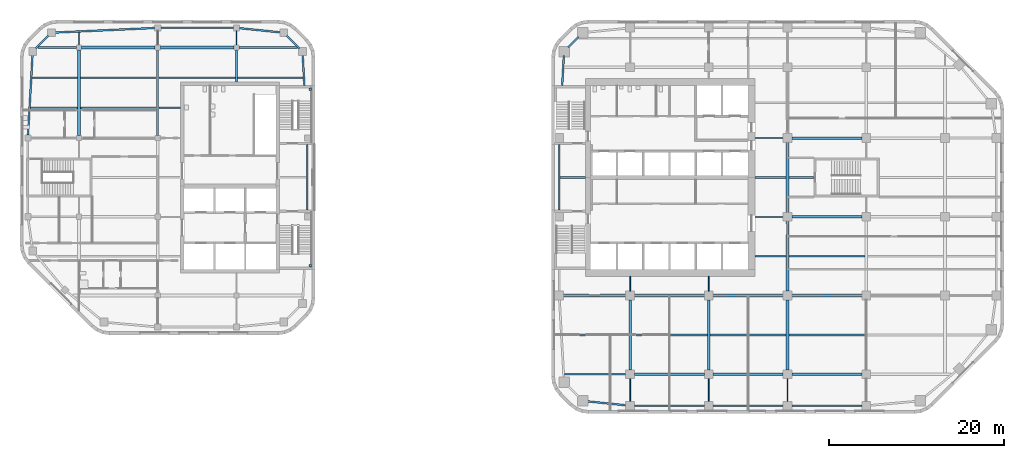
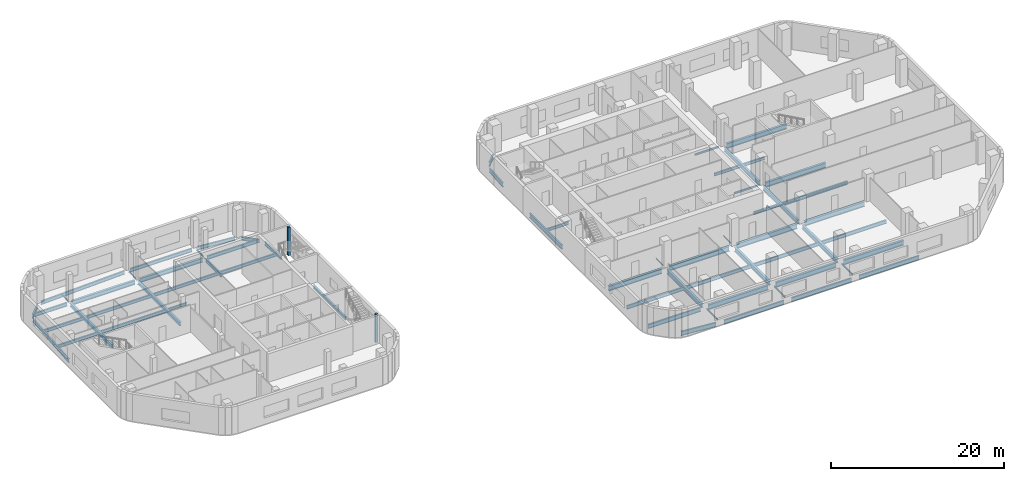
# One storey, part 2 of 14: 63 beams, 2 members.
"""IFC4 building model written with IfcOpenShell, lengths in metres."""

from ifc_helpers import new_model, si_unit, direction, frame, origin, origin_2d, place, context, subcontext, project, spatial, rectangle, i_section, extrude, material, material_profile, profile_set, type_object, element, save


model = new_model("IFC4")

# Units and contexts
model_context = context("Model", 3, precision=1e-05, world=origin(), true_north=direction((0.0, 1.0)))
body_context = subcontext(model_context, "Body", "Model", "MODEL_VIEW")
ifc_project = project(units=[si_unit("LENGTHUNIT", "METRE"), si_unit("AREAUNIT", "SQUARE_METRE"), si_unit("VOLUMEUNIT", "CUBIC_METRE"), si_unit("PLANEANGLEUNIT", "RADIAN"), si_unit("MASSUNIT", "GRAM", prefix="KILO")], contexts=[model_context])

# Site, building, storey
site_placement = place(None, origin())
site = spatial("IfcSite", under=ifc_project, at=site_placement, CompositionType="ELEMENT")
building_placement = place(site_placement, origin())
building = spatial("IfcBuilding", under=site, at=building_placement, Name="Cinnabar Reach Civic Tower", CompositionType="ELEMENT")
storey_placement = place(building_placement, frame((0.0, 0.0, 124.0)))
storey = spatial("IfcBuildingStorey", under=building, at=storey_placement, Name="L29", CompositionType="ELEMENT", Elevation=124.0)

# Beams
ifc_material_1 = material(Name="Steel Q355B", Category="steel")
ifc_material_profile_1 = material_profile(ifc_material_1, i_section(OverallWidth=0.3, OverallDepth=0.488, WebThickness=0.011, FlangeThickness=0.018, FilletRadius=0.016, at=origin_2d()), Name="HM488x300x11x18")
ifc_profile_set_1 = profile_set([ifc_material_profile_1], Name="Steel Q355B")
beam_type_1 = type_object("IfcBeamType", Name="HM488x300x11x18 beam R 120", PredefinedType="BEAM", material=ifc_profile_set_1)
for number, where, z_axis, x_axis, name in (
    (1, (-54.0, 36.302, -0.394), (0.0, 1.0, 0.0), (-1.0, 0.0, 0.0), "Girder T2 L29 4"),
    (2, (-45.0, 36.302, -0.394), (0.0, 1.0, 0.0), (-1.0, 0.0, 0.0), "Girder T2 L29 9"),
):
    element("IfcBeam", number, at=place(storey_placement, frame(where, z_axis=z_axis, x_axis=x_axis)), inside=storey, type_object=beam_type_1, Name=name, PredefinedType="BEAM", context=body_context, shape_type="SweptSolid", body=[
        extrude(i_section(OverallWidth=0.3, OverallDepth=0.488, WebThickness=0.011, FlangeThickness=0.018, FilletRadius=0.016, at=origin_2d()), origin(), (0.0, 0.0, 1.0), 9.746),
    ])
ifc_material_profile_2 = material_profile(ifc_material_1, i_section(OverallWidth=0.3, OverallDepth=0.588, WebThickness=0.012, FlangeThickness=0.02, FilletRadius=0.016, at=origin_2d()), Name="HM588x300x12x20")
ifc_profile_set_2 = profile_set([ifc_material_profile_2], Name="Steel Q355B")
beam_type_2 = type_object("IfcBeamType", Name="HM588x300x12x20 beam R 120", PredefinedType="BEAM", material=ifc_profile_set_2)
for number, where, z_axis, x_axis, name in (
    (3, (-53.698, 46.35, -0.444), (1.0, 0.0, 0.0), (0.0, 1.0, 0.0), "Girder T2 L29 11"),
    (4, (-44.698, 46.35, -0.444), (1.0, 0.0, 0.0), (0.0, 1.0, 0.0), "Girder T2 L29 12"),
):
    element("IfcBeam", number, at=place(storey_placement, frame(where, z_axis=z_axis, x_axis=x_axis)), inside=storey, type_object=beam_type_2, Name=name, PredefinedType="BEAM", context=body_context, shape_type="SweptSolid", body=[
        extrude(i_section(OverallWidth=0.3, OverallDepth=0.588, WebThickness=0.012, FlangeThickness=0.02, FilletRadius=0.016, at=origin_2d()), origin(), (0.0, 0.0, 1.0), 8.396),
    ])
ifc_material_profile_3 = material_profile(ifc_material_1, i_section(OverallWidth=0.302, OverallDepth=0.594, WebThickness=0.014, FlangeThickness=0.023, FilletRadius=0.016, at=origin_2d()), Name="HM594x302x14x23")
ifc_profile_set_3 = profile_set([ifc_material_profile_3], Name="Steel Q355B")
beam_type_3 = type_object("IfcBeamType", Name="HM594x302x14x23 beam R 180", PredefinedType="BEAM", material=ifc_profile_set_3)
for number, where, z_axis, x_axis, name in (
    (5, (9.0, 9.502, -0.447), (0.0, 1.0, 0.0), (-1.0, 0.0, 0.0), "Girder T1 L29 2"),
    (6, (18.0, 9.502, -0.447), (0.0, 1.0, 0.0), (-1.0, 0.0, 0.0), "Girder T1 L29 6"),
    (7, (27.0, 9.502, -0.447), (0.0, 1.0, 0.0), (-1.0, 0.0, 0.0), "Girder T1 L29 10"),
    (8, (27.0, 18.502, -0.447), (0.0, 1.0, 0.0), (-1.0, 0.0, 0.0), "Girder T1 L29 11"),
    (9, (27.0, 27.502, -0.447), (0.0, 1.0, 0.0), (-1.0, 0.0, 0.0), "Girder T1 L29 12"),
):
    element("IfcBeam", number, at=place(storey_placement, frame(where, z_axis=z_axis, x_axis=x_axis)), inside=storey, type_object=beam_type_3, Name=name, PredefinedType="BEAM", context=body_context, shape_type="SweptSolid", body=[
        extrude(i_section(OverallWidth=0.302, OverallDepth=0.594, WebThickness=0.014, FlangeThickness=0.023, FilletRadius=0.016, at=origin_2d()), origin(), (0.0, 0.0, 1.0), 7.996),
    ])
ifc_material_profile_4 = material_profile(ifc_material_1, i_section(OverallWidth=0.099, OverallDepth=0.198, WebThickness=0.0045, FlangeThickness=0.007, FilletRadius=0.013, at=origin_2d()), Name="HN200x100x5.5x8")
ifc_profile_set_4 = profile_set([ifc_material_profile_4], Name="Steel Q355B")
beam_type_4 = type_object("IfcBeamType", Name="HN200x100x5.5x8 beam R 120", PredefinedType="BEAM", material=ifc_profile_set_4)
beam_1_placement = place(storey_placement, frame((-54.0, 46.652, -0.249), z_axis=(0.0, 1.0, 0.0), x_axis=(-1.0, 0.0, 0.0)))
element("IfcBeam", 10, at=beam_1_placement, inside=storey, type_object=beam_type_4, Name="Girder T2 L29 5", PredefinedType="BEAM", context=body_context, shape_type="SweptSolid", body=[
    extrude(i_section(OverallWidth=0.099, OverallDepth=0.198, WebThickness=0.0045, FlangeThickness=0.007, FilletRadius=0.013, at=origin_2d()), origin(), (0.0, 0.0, 1.0), 1.4361),
])
for number, where, z_axis, x_axis, name in (
    (11, (-45.0, 46.652, -0.249), (0.0, 1.0, 0.0), (-1.0, 0.0, 0.0), "Girder T2 L29 10"),
    (12, (-36.0, 46.652, -0.249), (0.0, 1.0, 0.0), (-1.0, 0.0, 0.0), "Girder T2 L29 14"),
):
    element("IfcBeam", number, at=place(storey_placement, frame(where, z_axis=z_axis, x_axis=x_axis)), inside=storey, type_object=beam_type_4, Name=name, PredefinedType="BEAM", context=body_context, shape_type="SweptSolid", body=[
        extrude(i_section(OverallWidth=0.099, OverallDepth=0.198, WebThickness=0.0045, FlangeThickness=0.007, FilletRadius=0.013, at=origin_2d()), origin(), (0.0, 0.0, 1.0), 1.596),
    ])
ifc_material_profile_5 = material_profile(ifc_material_1, i_section(OverallWidth=0.099, OverallDepth=0.198, WebThickness=0.0045, FlangeThickness=0.007, FilletRadius=0.013, at=origin_2d()), Name="HN200x100x5.5x8")
ifc_profile_set_5 = profile_set([ifc_material_profile_5], Name="Steel Q355B")
beam_type_5 = type_object("IfcBeamType", Name="HN200x100x5.5x8 beam R 180", PredefinedType="BEAM", material=ifc_profile_set_5)
beam_2_placement = place(storey_placement, frame((9.0, 5.902, -0.249), z_axis=(0.0, 1.0, 0.0), x_axis=(-1.0, 0.0, 0.0)))
element("IfcBeam", 13, at=beam_2_placement, inside=storey, type_object=beam_type_5, Name="Girder T1 L29 1", PredefinedType="BEAM", context=body_context, shape_type="SweptSolid", body=[
    extrude(i_section(OverallWidth=0.099, OverallDepth=0.198, WebThickness=0.0045, FlangeThickness=0.007, FilletRadius=0.013, at=origin_2d()), origin(), (0.0, 0.0, 1.0), 2.596),
])
beam_3_placement = place(storey_placement, frame((9.0, 18.502, -0.249), z_axis=(0.0, 1.0, 0.0), x_axis=(-1.0, 0.0, 0.0)))
element("IfcBeam", 14, at=beam_3_placement, inside=storey, type_object=beam_type_5, Name="Girder T1 L29 3", PredefinedType="BEAM", context=body_context, shape_type="SweptSolid", body=[
    extrude(i_section(OverallWidth=0.099, OverallDepth=0.198, WebThickness=0.0045, FlangeThickness=0.007, FilletRadius=0.013, at=origin_2d()), origin(), (0.0, 0.0, 1.0), 1.696),
])
beam_4_placement = place(storey_placement, frame((18.0, 5.902, -0.249), z_axis=(0.0, 1.0, 0.0), x_axis=(-1.0, 0.0, 0.0)))
element("IfcBeam", 15, at=beam_4_placement, inside=storey, type_object=beam_type_5, Name="Girder T1 L29 5", PredefinedType="BEAM", context=body_context, shape_type="SweptSolid", body=[
    extrude(i_section(OverallWidth=0.099, OverallDepth=0.198, WebThickness=0.0045, FlangeThickness=0.007, FilletRadius=0.013, at=origin_2d()), origin(), (0.0, 0.0, 1.0), 2.596),
])
beam_5_placement = place(storey_placement, frame((18.0, 18.502, -0.249), z_axis=(0.0, 1.0, 0.0), x_axis=(-1.0, 0.0, 0.0)))
element("IfcBeam", 16, at=beam_5_placement, inside=storey, type_object=beam_type_5, Name="Girder T1 L29 7", PredefinedType="BEAM", context=body_context, shape_type="SweptSolid", body=[
    extrude(i_section(OverallWidth=0.099, OverallDepth=0.198, WebThickness=0.0045, FlangeThickness=0.007, FilletRadius=0.013, at=origin_2d()), origin(), (0.0, 0.0, 1.0), 1.696),
])
beam_6_placement = place(storey_placement, frame((27.0, 5.902, -0.249), z_axis=(0.0, 1.0, 0.0), x_axis=(-1.0, 0.0, 0.0)))
element("IfcBeam", 17, at=beam_6_placement, inside=storey, type_object=beam_type_5, Name="Girder T1 L29 9", PredefinedType="BEAM", context=body_context, shape_type="SweptSolid", body=[
    extrude(i_section(OverallWidth=0.099, OverallDepth=0.198, WebThickness=0.0045, FlangeThickness=0.007, FilletRadius=0.013, at=origin_2d()), origin(), (0.0, 0.0, 1.0), 2.596),
])
ifc_material_profile_6 = material_profile(ifc_material_1, i_section(OverallWidth=0.124, OverallDepth=0.248, WebThickness=0.005, FlangeThickness=0.008, FilletRadius=0.013, at=origin_2d()), Name="HN250x125x6x9")
ifc_profile_set_6 = profile_set([ifc_material_profile_6], Name="Steel Q355B")
beam_type_6 = type_object("IfcBeamType", Name="HN250x125x6x9 beam R 180", PredefinedType="BEAM", material=ifc_profile_set_6)
for number, where, z_axis, x_axis, name in (
    (18, (23.302, 27.0, -0.274), (1.0, 0.0, 0.0), (0.0, 1.0, 0.0), "Girder T1 L29 12"),
    (19, (23.302, 36.0, -0.274), (1.0, 0.0, 0.0), (0.0, 1.0, 0.0), "Girder T1 L29 16"),
):
    element("IfcBeam", number, at=place(storey_placement, frame(where, z_axis=z_axis, x_axis=x_axis)), inside=storey, type_object=beam_type_6, Name=name, PredefinedType="BEAM", context=body_context, shape_type="SweptSolid", body=[
        extrude(i_section(OverallWidth=0.124, OverallDepth=0.248, WebThickness=0.005, FlangeThickness=0.008, FilletRadius=0.013, at=origin_2d()), origin(), (0.0, 0.0, 1.0), 3.196),
    ])
ifc_material_profile_7 = material_profile(ifc_material_1, i_section(OverallWidth=0.175, OverallDepth=0.35, WebThickness=0.007, FlangeThickness=0.011, FilletRadius=0.013, at=origin_2d()), Name="HN350x175x7x11")
ifc_profile_set_7 = profile_set([ifc_material_profile_7], Name="Steel Q355B")
beam_type_7 = type_object("IfcBeamType", Name="HN350x175x7x11 beam R 120", PredefinedType="BEAM", material=ifc_profile_set_7)
beam_7_placement = place(storey_placement, frame((-44.848, 39.45, -0.325), z_axis=(1.0, 0.0, 0.0), x_axis=(0.0, 1.0, 0.0)))
element("IfcBeam", 20, at=beam_7_placement, inside=storey, type_object=beam_type_7, Name="Secondary beam T2 L29 9", PredefinedType="BEAM", context=body_context, shape_type="SweptSolid", body=[
    extrude(i_section(OverallWidth=0.175, OverallDepth=0.35, WebThickness=0.007, FlangeThickness=0.011, FilletRadius=0.013, at=origin_2d()), origin(), (0.0, 0.0, 1.0), 2.446),
])
ifc_material_profile_8 = material_profile(ifc_material_1, i_section(OverallWidth=0.199, OverallDepth=0.396, WebThickness=0.007, FlangeThickness=0.011, FilletRadius=0.013, at=origin_2d()), Name="HN396x199x7x11")
ifc_profile_set_8 = profile_set([ifc_material_profile_8], Name="Steel Q355B")
beam_type_8 = type_object("IfcBeamType", Name="HN396x199x7x11 beam R 180", PredefinedType="BEAM", material=ifc_profile_set_8)
beam_8_placement = place(storey_placement, frame((23.302, 22.5, -0.348), z_axis=(1.0, 0.0, 0.0), x_axis=(0.0, 1.0, 0.0)))
element("IfcBeam", 21, at=beam_8_placement, inside=storey, type_object=beam_type_8, Name="Secondary beam T1 L29 7", PredefinedType="BEAM", context=body_context, shape_type="SweptSolid", body=[
    extrude(i_section(OverallWidth=0.199, OverallDepth=0.396, WebThickness=0.007, FlangeThickness=0.011, FilletRadius=0.013, at=origin_2d()), origin(), (0.0, 0.0, 1.0), 3.545),
])
beam_9_placement = place(storey_placement, frame((1.002, 31.5, -0.348), z_axis=(1.0, 0.0, 0.0), x_axis=(0.0, 1.0, 0.0)))
element("IfcBeam", 22, at=beam_9_placement, inside=storey, type_object=beam_type_8, Name="Secondary beam T1 L29 11", PredefinedType="BEAM", context=body_context, shape_type="SweptSolid", body=[
    extrude(i_section(OverallWidth=0.199, OverallDepth=0.396, WebThickness=0.007, FlangeThickness=0.011, FilletRadius=0.013, at=origin_2d()), origin(), (0.0, 0.0, 1.0), 2.896),
])
beam_10_placement = place(storey_placement, frame((23.302, 31.5, -0.348), z_axis=(1.0, 0.0, 0.0), x_axis=(0.0, 1.0, 0.0)))
element("IfcBeam", 23, at=beam_10_placement, inside=storey, type_object=beam_type_8, Name="Secondary beam T1 L29 12", PredefinedType="BEAM", context=body_context, shape_type="SweptSolid", body=[
    extrude(i_section(OverallWidth=0.199, OverallDepth=0.396, WebThickness=0.007, FlangeThickness=0.011, FilletRadius=0.013, at=origin_2d()), origin(), (0.0, 0.0, 1.0), 3.545),
])
beam_11_placement = place(storey_placement, frame((27.153, 31.5, -0.348), z_axis=(1.0, 0.0, 0.0), x_axis=(0.0, 1.0, 0.0)))
element("IfcBeam", 24, at=beam_11_placement, inside=storey, type_object=beam_type_8, Name="Secondary beam T1 L29 13", PredefinedType="BEAM", context=body_context, shape_type="SweptSolid", body=[
    extrude(i_section(OverallWidth=0.199, OverallDepth=0.396, WebThickness=0.007, FlangeThickness=0.011, FilletRadius=0.013, at=origin_2d()), origin(), (0.0, 0.0, 1.0), 2.845),
])
ifc_material_profile_9 = material_profile(ifc_material_1, i_section(OverallWidth=0.2, OverallDepth=0.45, WebThickness=0.009, FlangeThickness=0.014, FilletRadius=0.016, at=origin_2d()), Name="HN450x200x9x14")
ifc_profile_set_9 = profile_set([ifc_material_profile_9], Name="Steel Q355B")
beam_type_9 = type_object("IfcBeamType", Name="HN450x200x9x14 beam R 120", PredefinedType="BEAM", material=ifc_profile_set_9)
beam_12_placement = place(storey_placement, frame((-59.5551, 39.45, -0.375), z_axis=(1.0, 0.0, 0.0), x_axis=(0.0, 1.0, 0.0)))
element("IfcBeam", 25, at=beam_12_placement, inside=storey, type_object=beam_type_9, Name="Secondary beam T2 L29 7", PredefinedType="BEAM", context=body_context, shape_type="SweptSolid", body=[
    extrude(i_section(OverallWidth=0.2, OverallDepth=0.45, WebThickness=0.009, FlangeThickness=0.014, FilletRadius=0.016, at=origin_2d()), origin(), (0.0, 0.0, 1.0), 5.4031),
])
beam_13_placement = place(storey_placement, frame((-53.848, 39.45, -0.375), z_axis=(1.0, 0.0, 0.0), x_axis=(0.0, 1.0, 0.0)))
element("IfcBeam", 26, at=beam_13_placement, inside=storey, type_object=beam_type_9, Name="Secondary beam T2 L29 8", PredefinedType="BEAM", context=body_context, shape_type="SweptSolid", body=[
    extrude(i_section(OverallWidth=0.2, OverallDepth=0.45, WebThickness=0.009, FlangeThickness=0.014, FilletRadius=0.016, at=origin_2d()), origin(), (0.0, 0.0, 1.0), 8.696),
])
beam_14_placement = place(storey_placement, frame((-59.3623, 42.9, -0.375), z_axis=(1.0, 0.0, 0.0), x_axis=(0.0, 1.0, 0.0)))
element("IfcBeam", 27, at=beam_14_placement, inside=storey, type_object=beam_type_9, Name="Secondary beam T2 L29 10", PredefinedType="BEAM", context=body_context, shape_type="SweptSolid", body=[
    extrude(i_section(OverallWidth=0.2, OverallDepth=0.45, WebThickness=0.009, FlangeThickness=0.014, FilletRadius=0.016, at=origin_2d()), origin(), (0.0, 0.0, 1.0), 5.2103),
])
beam_15_placement = place(storey_placement, frame((-53.848, 42.9, -0.375), z_axis=(1.0, 0.0, 0.0), x_axis=(0.0, 1.0, 0.0)))
element("IfcBeam", 28, at=beam_15_placement, inside=storey, type_object=beam_type_9, Name="Secondary beam T2 L29 11", PredefinedType="BEAM", context=body_context, shape_type="SweptSolid", body=[
    extrude(i_section(OverallWidth=0.2, OverallDepth=0.45, WebThickness=0.009, FlangeThickness=0.014, FilletRadius=0.016, at=origin_2d()), origin(), (0.0, 0.0, 1.0), 8.696),
])
beam_16_placement = place(storey_placement, frame((-44.848, 42.9, -0.375), z_axis=(1.0, 0.0, 0.0), x_axis=(0.0, 1.0, 0.0)))
element("IfcBeam", 29, at=beam_16_placement, inside=storey, type_object=beam_type_9, Name="Secondary beam T2 L29 12", PredefinedType="BEAM", context=body_context, shape_type="SweptSolid", body=[
    extrude(i_section(OverallWidth=0.2, OverallDepth=0.45, WebThickness=0.009, FlangeThickness=0.014, FilletRadius=0.016, at=origin_2d()), origin(), (0.0, 0.0, 1.0), 8.746),
])
beam_17_placement = place(storey_placement, frame((-35.898, 42.9, -0.375), z_axis=(1.0, 0.0, 0.0), x_axis=(0.0, 1.0, 0.0)))
element("IfcBeam", 30, at=beam_17_placement, inside=storey, type_object=beam_type_9, Name="Secondary beam T2 L29 13", PredefinedType="BEAM", context=body_context, shape_type="SweptSolid", body=[
    extrude(i_section(OverallWidth=0.2, OverallDepth=0.45, WebThickness=0.009, FlangeThickness=0.014, FilletRadius=0.016, at=origin_2d()), origin(), (0.0, 0.0, 1.0), 7.5103),
])
ifc_material_profile_10 = material_profile(ifc_material_1, i_section(OverallWidth=0.199, OverallDepth=0.496, WebThickness=0.009, FlangeThickness=0.014, FilletRadius=0.016, at=origin_2d()), Name="HN496x199x9x14")
ifc_profile_set_10 = profile_set([ifc_material_profile_10], Name="Steel Q355B")
beam_type_10 = type_object("IfcBeamType", Name="HN496x199x9x14 beam R 180", PredefinedType="BEAM", material=ifc_profile_set_10)
beam_18_placement = place(storey_placement, frame((1.2536, 13.5, -0.398), z_axis=(1.0, 0.0, 0.0), x_axis=(0.0, 1.0, 0.0)))
element("IfcBeam", 31, at=beam_18_placement, inside=storey, type_object=beam_type_10, Name="Secondary beam T1 L29 1", PredefinedType="BEAM", context=body_context, shape_type="SweptSolid", body=[
    extrude(i_section(OverallWidth=0.199, OverallDepth=0.496, WebThickness=0.009, FlangeThickness=0.014, FilletRadius=0.016, at=origin_2d()), origin(), (0.0, 0.0, 1.0), 7.5934),
])
for number, where, z_axis, x_axis, name in (
    (32, (9.153, 13.5, -0.398), (1.0, 0.0, 0.0), (0.0, 1.0, 0.0), "Secondary beam T1 L29 2"),
    (33, (18.153, 13.5, -0.398), (1.0, 0.0, 0.0), (0.0, 1.0, 0.0), "Secondary beam T1 L29 3"),
    (34, (27.153, 13.5, -0.398), (1.0, 0.0, 0.0), (0.0, 1.0, 0.0), "Secondary beam T1 L29 4"),
    (35, (27.153, 22.5, -0.398), (1.0, 0.0, 0.0), (0.0, 1.0, 0.0), "Secondary beam T1 L29 8"),
):
    element("IfcBeam", number, at=place(storey_placement, frame(where, z_axis=z_axis, x_axis=x_axis)), inside=storey, type_object=beam_type_10, Name=name, PredefinedType="BEAM", context=body_context, shape_type="SweptSolid", body=[
        extrude(i_section(OverallWidth=0.199, OverallDepth=0.496, WebThickness=0.009, FlangeThickness=0.014, FilletRadius=0.016, at=origin_2d()), origin(), (0.0, 0.0, 1.0), 8.694),
    ])
ifc_material_profile_11 = material_profile(ifc_material_1, i_section(OverallWidth=0.2, OverallDepth=0.5, WebThickness=0.01, FlangeThickness=0.016, FilletRadius=0.016, at=origin_2d()), Name="HN500x200x10x16")
ifc_profile_set_11 = profile_set([ifc_material_profile_11], Name="Steel Q355B")
beam_type_11 = type_object("IfcBeamType", Name="HN500x200x10x16 beam R 120", PredefinedType="BEAM", material=ifc_profile_set_11)
beam_19_placement = place(storey_placement, frame((-27.9, 27.752, -0.4), z_axis=(0.0, 1.0, 0.0), x_axis=(-1.0, 0.0, 0.0)))
element("IfcBeam", 36, at=beam_19_placement, inside=storey, type_object=beam_type_11, Name="Edge beam T2 L29 6", PredefinedType="BEAM", context=body_context, shape_type="SweptSolid", body=[
    extrude(i_section(OverallWidth=0.2, OverallDepth=0.5, WebThickness=0.01, FlangeThickness=0.016, FilletRadius=0.016, at=origin_2d()), origin(), (0.0, 0.0, 1.0), 7.496),
])
beam_20_placement = place(storey_placement, frame((-28.2354, 42.002, -0.4), z_axis=(-0.055775670196, 0.99844332569, 0.0), x_axis=(-0.99844332569, -0.055775670196, 0.0)))
element("IfcBeam", 37, at=beam_20_placement, inside=storey, type_object=beam_type_11, Name="Edge beam T2 L29 7", PredefinedType="BEAM", context=body_context, shape_type="SweptSolid", body=[
    extrude(i_section(OverallWidth=0.2, OverallDepth=0.5, WebThickness=0.01, FlangeThickness=0.016, FilletRadius=0.016, at=origin_2d()), origin(), (0.0, 0.0, 1.0), 3.5697),
])
beam_21_placement = place(storey_placement, frame((-28.7851, 46.2301, -0.4), z_axis=(-0.707106781187, 0.707106781187, 0.0), x_axis=(-0.707106781187, -0.707106781187, 0.0)))
element("IfcBeam", 38, at=beam_21_placement, inside=storey, type_object=beam_type_11, Name="Edge beam T2 L29 8", PredefinedType="BEAM", context=body_context, shape_type="SweptSolid", body=[
    extrude(i_section(OverallWidth=0.2, OverallDepth=0.5, WebThickness=0.01, FlangeThickness=0.016, FilletRadius=0.016, at=origin_2d()), origin(), (0.0, 0.0, 1.0), 2.0998),
])
beam_22_placement = place(storey_placement, frame((-30.9339, 48.0809, -0.4), z_axis=(-0.994792087401, 0.101924986363, 0.0), x_axis=(-0.101924986363, -0.994792087401, 0.0)))
element("IfcBeam", 39, at=beam_22_placement, inside=storey, type_object=beam_type_11, Name="Edge beam T2 L29 9", PredefinedType="BEAM", context=body_context, shape_type="SweptSolid", body=[
    extrude(i_section(OverallWidth=0.2, OverallDepth=0.5, WebThickness=0.01, FlangeThickness=0.016, FilletRadius=0.016, at=origin_2d()), origin(), (0.0, 0.0, 1.0), 4.7388),
])
beam_23_placement = place(storey_placement, frame((-36.352, 48.6, -0.4), z_axis=(-1.0, 0.0, 0.0), x_axis=(0.0, -1.0, 0.0)))
element("IfcBeam", 40, at=beam_23_placement, inside=storey, type_object=beam_type_11, Name="Edge beam T2 L29 10", PredefinedType="BEAM", context=body_context, shape_type="SweptSolid", body=[
    extrude(i_section(OverallWidth=0.2, OverallDepth=0.5, WebThickness=0.01, FlangeThickness=0.016, FilletRadius=0.016, at=origin_2d()), origin(), (0.0, 0.0, 1.0), 8.296),
])
beam_24_placement = place(storey_placement, frame((-45.352, 48.584, -0.4), z_axis=(-0.998964961738, -0.045486319033, 0.0), x_axis=(0.045486319033, -0.998964961738, 0.0)))
element("IfcBeam", 41, at=beam_24_placement, inside=storey, type_object=beam_type_11, Name="Edge beam T2 L29 11", PredefinedType="BEAM", context=body_context, shape_type="SweptSolid", body=[
    extrude(i_section(OverallWidth=0.2, OverallDepth=0.5, WebThickness=0.01, FlangeThickness=0.016, FilletRadius=0.016, at=origin_2d()), origin(), (0.0, 0.0, 1.0), 11.476),
])
beam_25_placement = place(storey_placement, frame((-57.4801, 47.7149, -0.4), z_axis=(-0.707106781187, -0.707106781187, 0.0), x_axis=(0.707106781187, -0.707106781187, 0.0)))
element("IfcBeam", 42, at=beam_25_placement, inside=storey, type_object=beam_type_11, Name="Edge beam T2 L29 12", PredefinedType="BEAM", context=body_context, shape_type="SweptSolid", body=[
    extrude(i_section(OverallWidth=0.2, OverallDepth=0.5, WebThickness=0.01, FlangeThickness=0.016, FilletRadius=0.016, at=origin_2d()), origin(), (0.0, 0.0, 1.0), 2.0998),
])
beam_26_placement = place(storey_placement, frame((-59.3155, 45.5661, -0.4), z_axis=(-0.055783895065, -0.998442866193, 0.0), x_axis=(0.998442866193, -0.055783895065, 0.0)))
element("IfcBeam", 43, at=beam_26_placement, inside=storey, type_object=beam_type_11, Name="Edge beam T2 L29 13", PredefinedType="BEAM", context=body_context, shape_type="SweptSolid", body=[
    extrude(i_section(OverallWidth=0.2, OverallDepth=0.5, WebThickness=0.01, FlangeThickness=0.016, FilletRadius=0.016, at=origin_2d()), origin(), (0.0, 0.0, 1.0), 9.2285),
])
beam_27_placement = place(storey_placement, frame((-58.7008, 46.35, -0.4), z_axis=(1.0, 0.0, 0.0), x_axis=(0.0, 1.0, 0.0)))
element("IfcBeam", 44, at=beam_27_placement, inside=storey, type_object=beam_type_11, Name="Girder T2 L29 10", PredefinedType="BEAM", context=body_context, shape_type="SweptSolid", body=[
    extrude(i_section(OverallWidth=0.2, OverallDepth=0.5, WebThickness=0.01, FlangeThickness=0.016, FilletRadius=0.016, at=origin_2d()), origin(), (0.0, 0.0, 1.0), 4.3988),
])
beam_28_placement = place(storey_placement, frame((-35.698, 46.35, -0.4), z_axis=(1.0, 0.0, 0.0), x_axis=(0.0, 1.0, 0.0)))
element("IfcBeam", 45, at=beam_28_placement, inside=storey, type_object=beam_type_11, Name="Girder T2 L29 13", PredefinedType="BEAM", context=body_context, shape_type="SweptSolid", body=[
    extrude(i_section(OverallWidth=0.2, OverallDepth=0.5, WebThickness=0.01, FlangeThickness=0.016, FilletRadius=0.016, at=origin_2d()), origin(), (0.0, 0.0, 1.0), 6.6488),
])
beam_29_placement = place(storey_placement, frame((-36.0, 42.402, -0.4), z_axis=(0.0, 1.0, 0.0), x_axis=(-1.0, 0.0, 0.0)))
element("IfcBeam", 46, at=beam_29_placement, inside=storey, type_object=beam_type_11, Name="Girder T2 L29 13", PredefinedType="BEAM", context=body_context, shape_type="SweptSolid", body=[
    extrude(i_section(OverallWidth=0.2, OverallDepth=0.5, WebThickness=0.01, FlangeThickness=0.016, FilletRadius=0.016, at=origin_2d()), origin(), (0.0, 0.0, 1.0), 3.646),
])
ifc_material_profile_12 = material_profile(ifc_material_1, i_section(OverallWidth=0.199, OverallDepth=0.596, WebThickness=0.01, FlangeThickness=0.015, FilletRadius=0.016, at=origin_2d()), Name="HN596x199x10x15")
ifc_profile_set_12 = profile_set([ifc_material_profile_12], Name="Steel Q355B")
beam_type_12 = type_object("IfcBeamType", Name="HN596x199x10x15 beam R 180", PredefinedType="BEAM", material=ifc_profile_set_12)
beam_30_placement = place(storey_placement, frame((1.5051, 9.0, -0.448), z_axis=(1.0, 0.0, 0.0), x_axis=(0.0, 1.0, 0.0)))
element("IfcBeam", 47, at=beam_30_placement, inside=storey, type_object=beam_type_12, Name="Girder T1 L29 1", PredefinedType="BEAM", context=body_context, shape_type="SweptSolid", body=[
    extrude(i_section(OverallWidth=0.199, OverallDepth=0.596, WebThickness=0.01, FlangeThickness=0.015, FilletRadius=0.016, at=origin_2d()), origin(), (0.0, 0.0, 1.0), 6.9929),
])
ifc_material_profile_13 = material_profile(ifc_material_1, i_section(OverallWidth=0.2, OverallDepth=0.6, WebThickness=0.011, FlangeThickness=0.017, FilletRadius=0.016, at=origin_2d()), Name="HN600x200x11x17")
ifc_profile_set_13 = profile_set([ifc_material_profile_13], Name="Steel Q355B")
beam_type_13 = type_object("IfcBeamType", Name="HN600x200x11x17 beam R 180", PredefinedType="BEAM", material=ifc_profile_set_13)
beam_31_placement = place(storey_placement, frame((4.0839, 5.9037, -0.45), z_axis=(0.994791228755, -0.101933366432, 0.0), x_axis=(0.101933366432, 0.994791228755, 0.0)))
element("IfcBeam", 48, at=beam_31_placement, inside=storey, type_object=beam_type_13, Name="Edge beam T1 L29 1", PredefinedType="BEAM", context=body_context, shape_type="SweptSolid", body=[
    extrude(i_section(OverallWidth=0.2, OverallDepth=0.6, WebThickness=0.011, FlangeThickness=0.017, FilletRadius=0.016, at=origin_2d()), origin(), (0.0, 0.0, 1.0), 4.4372),
])
for number, where, z_axis, x_axis, name in (
    (49, (9.502, 5.4, -0.45), (1.0, 0.0, 0.0), (0.0, 1.0, 0.0), "Edge beam T1 L29 2"),
    (50, (18.502, 5.4, -0.45), (1.0, 0.0, 0.0), (0.0, 1.0, 0.0), "Edge beam T1 L29 3"),
    (51, (27.502, 5.4, -0.45), (1.0, 0.0, 0.0), (0.0, 1.0, 0.0), "Edge beam T1 L29 4"),
):
    element("IfcBeam", number, at=place(storey_placement, frame(where, z_axis=z_axis, x_axis=x_axis)), inside=storey, type_object=beam_type_13, Name=name, PredefinedType="BEAM", context=body_context, shape_type="SweptSolid", body=[
        extrude(i_section(OverallWidth=0.2, OverallDepth=0.6, WebThickness=0.011, FlangeThickness=0.017, FilletRadius=0.016, at=origin_2d()), origin(), (0.0, 0.0, 1.0), 7.996),
    ])
beam_32_placement = place(storey_placement, frame((3.1199, 47.5649, -0.45), z_axis=(-0.707106781187, -0.707106781187, 0.0), x_axis=(0.707106781187, -0.707106781187, 0.0)))
element("IfcBeam", 52, at=beam_32_placement, inside=storey, type_object=beam_type_13, Name="Edge beam T1 L29 19", PredefinedType="BEAM", context=body_context, shape_type="SweptSolid", body=[
    extrude(i_section(OverallWidth=0.2, OverallDepth=0.6, WebThickness=0.011, FlangeThickness=0.017, FilletRadius=0.016, at=origin_2d()), origin(), (0.0, 0.0, 1.0), 1.6756),
])
beam_33_placement = place(storey_placement, frame((1.4262, 45.4161, -0.45), z_axis=(-0.055798816608, -0.998442032401, 0.0), x_axis=(0.998442032401, -0.055798816608, 0.0)))
element("IfcBeam", 53, at=beam_33_placement, inside=storey, type_object=beam_type_13, Name="Edge beam T1 L29 20", PredefinedType="BEAM", context=body_context, shape_type="SweptSolid", body=[
    extrude(i_section(OverallWidth=0.2, OverallDepth=0.6, WebThickness=0.011, FlangeThickness=0.017, FilletRadius=0.016, at=origin_2d()), origin(), (0.0, 0.0, 1.0), 3.4194),
])
beam_34_placement = place(storey_placement, frame((0.9, 35.248, -0.45), z_axis=(0.0, -1.0, 0.0), x_axis=(1.0, 0.0, 0.0)))
element("IfcBeam", 54, at=beam_34_placement, inside=storey, type_object=beam_type_13, Name="Edge beam T1 L29 21", PredefinedType="BEAM", context=body_context, shape_type="SweptSolid", body=[
    extrude(i_section(OverallWidth=0.2, OverallDepth=0.6, WebThickness=0.011, FlangeThickness=0.017, FilletRadius=0.016, at=origin_2d()), origin(), (0.0, 0.0, 1.0), 7.496),
])
ifc_material_profile_14 = material_profile(ifc_material_1, i_section(OverallWidth=0.3, OverallDepth=0.692, WebThickness=0.013, FlangeThickness=0.02, FilletRadius=0.016, at=origin_2d()), Name="HN692x300x13x20")
ifc_profile_set_14 = profile_set([ifc_material_profile_14], Name="Steel Q355B")
beam_type_14 = type_object("IfcBeamType", Name="HN692x300x13x20 beam R 180", PredefinedType="BEAM", material=ifc_profile_set_14)
for number, where, z_axis, x_axis, name in (
    (55, (9.502, 9.0, -0.496), (1.0, 0.0, 0.0), (0.0, 1.0, 0.0), "Girder T1 L29 2"),
    (56, (18.502, 9.0, -0.496), (1.0, 0.0, 0.0), (0.0, 1.0, 0.0), "Girder T1 L29 3"),
    (57, (27.502, 9.0, -0.496), (1.0, 0.0, 0.0), (0.0, 1.0, 0.0), "Girder T1 L29 4"),
):
    element("IfcBeam", number, at=place(storey_placement, frame(where, z_axis=z_axis, x_axis=x_axis)), inside=storey, type_object=beam_type_14, Name=name, PredefinedType="BEAM", context=body_context, shape_type="SweptSolid", body=[
        extrude(i_section(OverallWidth=0.3, OverallDepth=0.692, WebThickness=0.013, FlangeThickness=0.02, FilletRadius=0.016, at=origin_2d()), origin(), (0.0, 0.0, 1.0), 7.996),
    ])
beam_35_placement = place(storey_placement, frame((1.402, 18.0, -0.496), z_axis=(1.0, 0.0, 0.0), x_axis=(0.0, 1.0, 0.0)))
element("IfcBeam", 58, at=beam_35_placement, inside=storey, type_object=beam_type_14, Name="Girder T1 L29 6", PredefinedType="BEAM", context=body_context, shape_type="SweptSolid", body=[
    extrude(i_section(OverallWidth=0.3, OverallDepth=0.692, WebThickness=0.013, FlangeThickness=0.02, FilletRadius=0.016, at=origin_2d()), origin(), (0.0, 0.0, 1.0), 7.096),
])
for number, where, z_axis, x_axis, name in (
    (59, (9.502, 18.0, -0.496), (1.0, 0.0, 0.0), (0.0, 1.0, 0.0), "Girder T1 L29 7"),
    (60, (18.502, 18.0, -0.496), (1.0, 0.0, 0.0), (0.0, 1.0, 0.0), "Girder T1 L29 8"),
    (61, (27.502, 18.0, -0.496), (1.0, 0.0, 0.0), (0.0, 1.0, 0.0), "Girder T1 L29 9"),
    (62, (27.502, 27.0, -0.496), (1.0, 0.0, 0.0), (0.0, 1.0, 0.0), "Girder T1 L29 13"),
    (63, (27.502, 36.0, -0.496), (1.0, 0.0, 0.0), (0.0, 1.0, 0.0), "Girder T1 L29 17"),
):
    element("IfcBeam", number, at=place(storey_placement, frame(where, z_axis=z_axis, x_axis=x_axis)), inside=storey, type_object=beam_type_14, Name=name, PredefinedType="BEAM", context=body_context, shape_type="SweptSolid", body=[
        extrude(i_section(OverallWidth=0.3, OverallDepth=0.692, WebThickness=0.013, FlangeThickness=0.02, FilletRadius=0.016, at=origin_2d()), origin(), (0.0, 0.0, 1.0), 7.996),
    ])

# Members
ifc_material_2 = material(Name="Concrete C40", Category="concrete")
ifc_material_profile_15 = material_profile(ifc_material_2, rectangle(XDim=0.3, YDim=0.3, at=origin_2d()), Name="C300")
ifc_profile_set_15 = profile_set([ifc_material_profile_15], Name="Concrete C40")
member_type = type_object("IfcMemberType", Name="T2 stair post 300", PredefinedType="STRUT", material=ifc_profile_set_15)
for number, where, z_axis, x_axis, name in (
    (64, (-27.55, 21.4, 0.0), (0.0, 0.0, 1.0), (1.0, 0.0, 0.0), "Stair post 1"),
    (65, (-27.55, 41.6, 0.0), (0.0, 0.0, 1.0), (1.0, 0.0, 0.0), "Stair post 2"),
):
    element("IfcMember", number, at=place(storey_placement, frame(where, z_axis=z_axis, x_axis=x_axis)), inside=storey, type_object=member_type, Name=name, PredefinedType="STRUT", context=body_context, shape_type="SweptSolid", body=[
        extrude(rectangle(XDim=0.3, YDim=0.3, at=origin_2d()), origin(), (0.0, 0.0, 1.0), 4.0),
    ])

save(model, "model.ifc")
